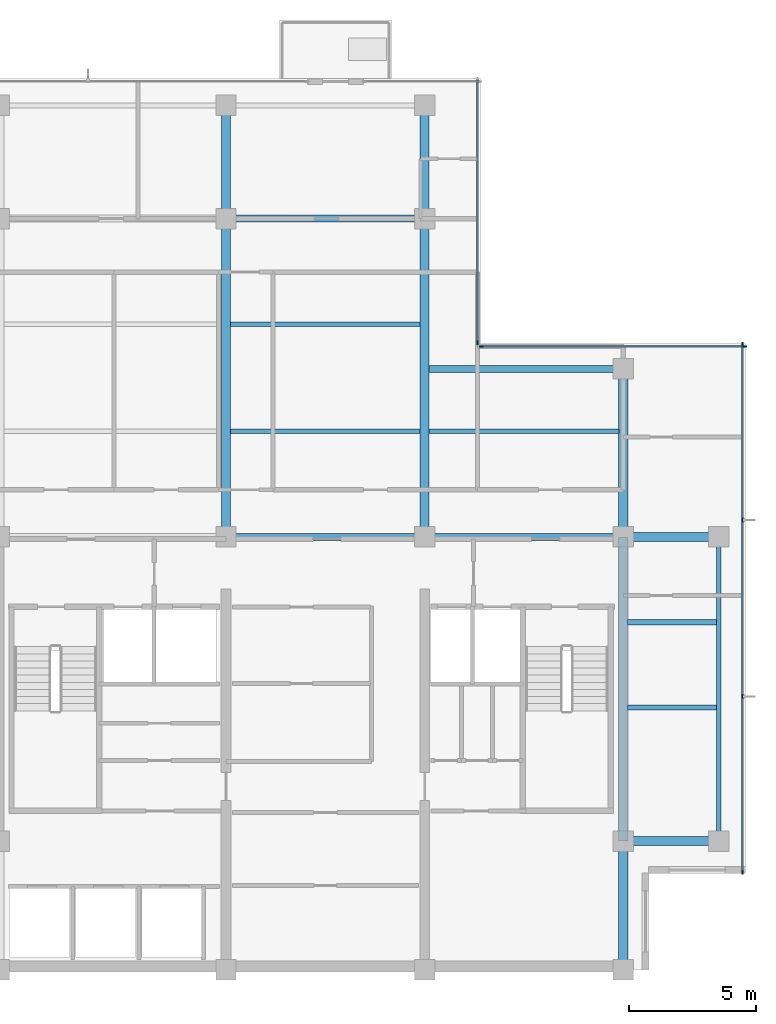
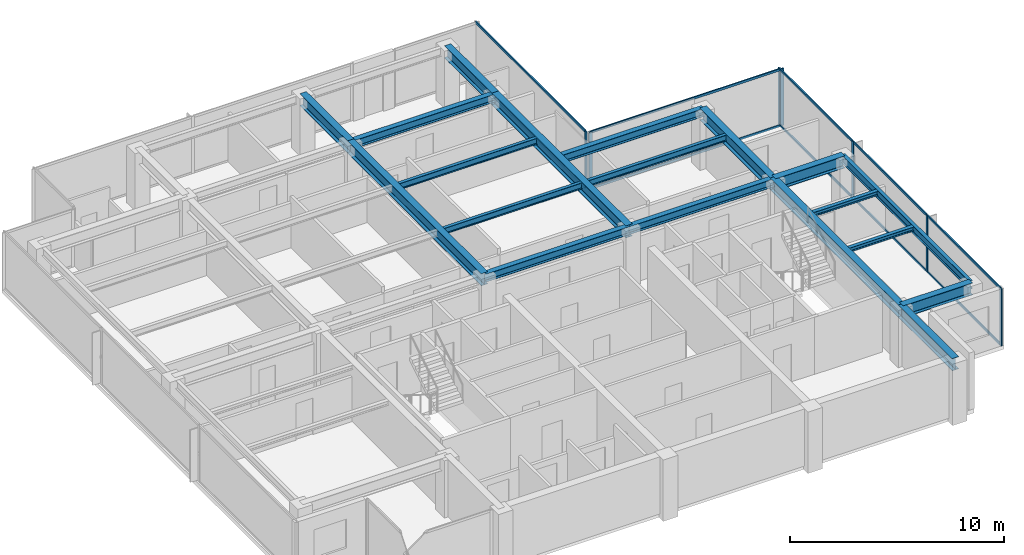
# One storey, part 3 of 11: 19 beams, 17 members, 3 elements without a shape of their own.
"""IFC4 building model written with IfcOpenShell, lengths in metres."""

from ifc_helpers import new_model, si_unit, direction, frame, origin, origin_2d, place, context, subcontext, project, spatial, rectangle, i_section, extrude, material, layer, layer_set, material_profile, profile_set, type_object, element, aggregate, save


model = new_model("IFC4")

# Units and contexts
model_context = context("Model", 3, precision=1e-05, world=origin(), true_north=direction((0.0, 1.0)))
body_context = subcontext(model_context, "Body", "Model", "MODEL_VIEW")
ifc_project = project(units=[si_unit("LENGTHUNIT", "METRE"), si_unit("AREAUNIT", "SQUARE_METRE"), si_unit("VOLUMEUNIT", "CUBIC_METRE"), si_unit("PLANEANGLEUNIT", "RADIAN"), si_unit("MASSUNIT", "GRAM", prefix="KILO")], contexts=[model_context])

# Site, building, storey
site_placement = place(None, origin())
site = spatial("IfcSite", under=ifc_project, at=site_placement, CompositionType="ELEMENT")
building_placement = place(site_placement, origin())
building = spatial("IfcBuilding", under=site, at=building_placement, Name="Qalmaran Belvedere Hotel", CompositionType="ELEMENT")
storey_placement = place(building_placement, frame((0.0, 0.0, 277.39990234375)))
storey = spatial("IfcBuildingStorey", under=building, at=storey_placement, Name="L72", CompositionType="ELEMENT", Elevation=277.39990234375)

# Beams
ifc_material_1 = material(Name="Steel S355JR", Category="steel")
ifc_material_profile_1 = material_profile(ifc_material_1, i_section(OverallWidth=0.201904296875, OverallDepth=0.2470703125, WebThickness=0.00732421875, FlangeThickness=0.010986328125, FilletRadius=0.011962890625, at=origin_2d()), Name="W250X49")
ifc_profile_set_1 = profile_set([ifc_material_profile_1], Name="Steel S355JR")
beam_type_1 = type_object("IfcBeamType", Name="BM-JST-W250X49", PredefinedType="JOIST", material=ifc_profile_set_1)
for number, where, z_axis, x_axis, name in (
    (1, (44.9755859375, 13.800048828125, 3.13671875), (1.0, 0.0, 0.0), (0.0, 1.0, 0.0), "L72 East Wing Joist 032"),
    (2, (44.9755859375, 17.14990234375, 3.13671875), (1.0, 0.0, 0.0), (0.0, 1.0, 0.0), "L72 East Wing Joist 034"),
):
    element("IfcBeam", number, at=place(storey_placement, frame(where, z_axis=z_axis, x_axis=x_axis)), inside=storey, type_object=beam_type_1, Name=name, PredefinedType="JOIST", context=body_context, shape_type="SweptSolid", body=[
        extrude(i_section(OverallWidth=0.201904296875, OverallDepth=0.2470703125, WebThickness=0.00732421875, FlangeThickness=0.010986328125, FilletRadius=0.011962890625, at=origin_2d()), origin(), (0.0, 0.0, 1.0), 3.48046875),
    ])
ifc_material_profile_2 = material_profile(ifc_material_1, i_section(OverallWidth=0.172119140625, OverallDepth=0.35791015625, WebThickness=0.0078125, FlangeThickness=0.01318359375, FilletRadius=0.014892578125, at=origin_2d()), Name="W360X57")
ifc_profile_set_2 = profile_set([ifc_material_profile_2], Name="Steel S355JR")
beam_type_2 = type_object("IfcBeamType", Name="BM-SB4-W360X57", PredefinedType="BEAM", material=ifc_profile_set_2)
for number, where, z_axis, x_axis, name in (
    (3, (29.37548828125, 24.64990234375, 3.0810546875), (1.0, 0.0, 0.0), (0.0, 1.0, 0.0), "L72 Secondary Floor Beam 026"),
    (4, (37.175537109375, 24.64990234375, 3.0810546875), (1.0, 0.0, 0.0), (0.0, 1.0, 0.0), "L72 Secondary Floor Beam 027"),
    (5, (29.37548828125, 28.85009765625, 3.0810546875), (1.0, 0.0, 0.0), (0.0, 1.0, 0.0), "L72 Secondary Floor Beam 030"),
):
    element("IfcBeam", number, at=place(storey_placement, frame(where, z_axis=z_axis, x_axis=x_axis)), inside=storey, type_object=beam_type_2, Name=name, PredefinedType="BEAM", context=body_context, shape_type="SweptSolid", body=[
        extrude(i_section(OverallWidth=0.172119140625, OverallDepth=0.35791015625, WebThickness=0.0078125, FlangeThickness=0.01318359375, FilletRadius=0.014892578125, at=origin_2d()), origin(), (0.0, 0.0, 1.0), 7.448974609375),
    ])
ifc_material_profile_3 = material_profile(ifc_material_1, i_section(OverallWidth=0.19189453125, OverallDepth=0.462890625, WebThickness=0.010498046875, FlangeThickness=0.017578125, FilletRadius=0.01611328125, at=origin_2d()), Name="W460X89")
ifc_profile_set_3 = profile_set([ifc_material_profile_3], Name="Steel S355JR")
beam_type_3 = type_object("IfcBeamType", Name="BM-SP2-W460X89", PredefinedType="SPANDREL", material=ifc_profile_set_3)
beam_1_placement = place(storey_placement, frame((48.550048828125, 8.550048828125, 3.028564453125), z_axis=(0.0, 1.0, 0.0), x_axis=(-1.0, 0.0, 0.0)))
element("IfcBeam", 6, at=beam_1_placement, inside=storey, type_object=beam_type_3, Name="L72 Perimeter Spandrel 03", PredefinedType="SPANDREL", context=body_context, shape_type="SweptSolid", body=[
    extrude(i_section(OverallWidth=0.19189453125, OverallDepth=0.462890625, WebThickness=0.010498046875, FlangeThickness=0.017578125, FilletRadius=0.01611328125, at=origin_2d()), origin(), (0.0, 0.0, 1.0), 11.949951171875),
])
ifc_material_profile_4 = material_profile(ifc_material_1, i_section(OverallWidth=0.35498046875, OverallDepth=0.695068359375, WebThickness=0.015380859375, FlangeThickness=0.02490234375, FilletRadius=0.02197265625, at=origin_2d()), Name="W690X217")
ifc_profile_set_4 = profile_set([ifc_material_profile_4], Name="Steel S355JR")
beam_type_4 = type_object("IfcBeamType", Name="BM-Z1-W690X217", PredefinedType="USERDEFINED", material=ifc_profile_set_4)
beam_2_placement = place(storey_placement, frame((29.199951171875, 20.5, 2.91259765625), z_axis=(0.0, 1.0, 0.0), x_axis=(-1.0, 0.0, 0.0)))
element("IfcBeam", 7, at=beam_2_placement, inside=storey, type_object=beam_type_4, Name="L72 Mid-Plate N-S Girder 13", ObjectType="GIRDER", PredefinedType="USERDEFINED", context=body_context, shape_type="SweptSolid", body=[
    extrude(i_section(OverallWidth=0.35498046875, OverallDepth=0.695068359375, WebThickness=0.015380859375, FlangeThickness=0.02490234375, FilletRadius=0.02197265625, at=origin_2d()), origin(), (0.0, 0.0, 1.0), 12.5),
])
beam_3_placement = place(storey_placement, frame((29.199951171875, 33.0, 2.91259765625), z_axis=(0.0, 1.0, 0.0), x_axis=(-1.0, 0.0, 0.0)))
element("IfcBeam", 8, at=beam_3_placement, inside=storey, type_object=beam_type_4, Name="L72 North Bay Girder 14", ObjectType="GIRDER", PredefinedType="USERDEFINED", context=body_context, shape_type="SweptSolid", body=[
    extrude(i_section(OverallWidth=0.35498046875, OverallDepth=0.695068359375, WebThickness=0.015380859375, FlangeThickness=0.02490234375, FilletRadius=0.02197265625, at=origin_2d()), origin(), (0.0, 0.0, 1.0), 4.449951171875),
])
beam_4_placement = place(storey_placement, frame((37.0, 20.5, 2.91259765625), z_axis=(0.0, 1.0, 0.0), x_axis=(-1.0, 0.0, 0.0)))
element("IfcBeam", 9, at=beam_4_placement, inside=storey, type_object=beam_type_4, Name="L72 Mid-Plate N-S Girder 15", ObjectType="GIRDER", PredefinedType="USERDEFINED", context=body_context, shape_type="SweptSolid", body=[
    extrude(i_section(OverallWidth=0.35498046875, OverallDepth=0.695068359375, WebThickness=0.015380859375, FlangeThickness=0.02490234375, FilletRadius=0.02197265625, at=origin_2d()), origin(), (0.0, 0.0, 1.0), 12.5),
])
beam_5_placement = place(storey_placement, frame((37.0, 33.0, 2.91259765625), z_axis=(0.0, 1.0, 0.0), x_axis=(-1.0, 0.0, 0.0)))
element("IfcBeam", 10, at=beam_5_placement, inside=storey, type_object=beam_type_4, Name="L72 North Bay Girder 16", ObjectType="GIRDER", PredefinedType="USERDEFINED", context=body_context, shape_type="SweptSolid", body=[
    extrude(i_section(OverallWidth=0.35498046875, OverallDepth=0.695068359375, WebThickness=0.015380859375, FlangeThickness=0.02490234375, FilletRadius=0.02197265625, at=origin_2d()), origin(), (0.0, 0.0, 1.0), 4.449951171875),
])
beam_6_placement = place(storey_placement, frame((44.800048828125, 20.5, 2.91259765625), z_axis=(0.0, 1.0, 0.0), x_axis=(-1.0, 0.0, 0.0)))
element("IfcBeam", 11, at=beam_6_placement, inside=storey, type_object=beam_type_4, Name="L72 Mid-Plate N-S Girder 17", ObjectType="GIRDER", PredefinedType="USERDEFINED", context=body_context, shape_type="SweptSolid", body=[
    extrude(i_section(OverallWidth=0.35498046875, OverallDepth=0.695068359375, WebThickness=0.015380859375, FlangeThickness=0.02490234375, FilletRadius=0.02197265625, at=origin_2d()), origin(), (0.0, 0.0, 1.0), 6.60009765625),
])
beam_7_placement = place(storey_placement, frame((44.800048828125, 3.5, 2.91259765625), z_axis=(0.0, 1.0, 0.0), x_axis=(-1.0, 0.0, 0.0)))
element("IfcBeam", 12, at=beam_7_placement, inside=storey, type_object=beam_type_4, Name="L72 East Core Edge Girder A", ObjectType="GIRDER", PredefinedType="USERDEFINED", context=body_context, shape_type="SweptSolid", body=[
    extrude(i_section(OverallWidth=0.35498046875, OverallDepth=0.695068359375, WebThickness=0.015380859375, FlangeThickness=0.02490234375, FilletRadius=0.02197265625, at=origin_2d()), origin(), (0.0, 0.0, 1.0), 5.050048828125),
])
beam_8_placement = place(storey_placement, frame((44.800048828125, 8.550048828125, 2.91259765625), z_axis=(0.0, 1.0, 0.0), x_axis=(-1.0, 0.0, 0.0)))
element("IfcBeam", 13, at=beam_8_placement, inside=storey, type_object=beam_type_4, Name="L72 East Core Edge Girder B", ObjectType="GIRDER", PredefinedType="USERDEFINED", context=body_context, shape_type="SweptSolid", body=[
    extrude(i_section(OverallWidth=0.35498046875, OverallDepth=0.695068359375, WebThickness=0.015380859375, FlangeThickness=0.02490234375, FilletRadius=0.02197265625, at=origin_2d()), origin(), (0.0, 0.0, 1.0), 11.949951171875),
])
for number, where, z_axis, x_axis, name in (
    (14, (44.800048828125, 8.550048828125, 2.91259765625), (1.0, 0.0, 0.0), (0.0, 1.0, 0.0), "L72 East Wing Girder 22"),
    (15, (44.800048828125, 20.5, 2.91259765625), (1.0, 0.0, 0.0), (0.0, 1.0, 0.0), "L72 East Wing Girder 23"),
):
    element("IfcBeam", number, at=place(storey_placement, frame(where, z_axis=z_axis, x_axis=x_axis)), inside=storey, type_object=beam_type_4, Name=name, ObjectType="GIRDER", PredefinedType="USERDEFINED", context=body_context, shape_type="SweptSolid", body=[
        extrude(i_section(OverallWidth=0.35498046875, OverallDepth=0.695068359375, WebThickness=0.015380859375, FlangeThickness=0.02490234375, FilletRadius=0.02197265625, at=origin_2d()), origin(), (0.0, 0.0, 1.0), 3.75),
    ])
ifc_material_profile_5 = material_profile(ifc_material_1, i_section(OverallWidth=0.280029296875, OverallDepth=0.462890625, WebThickness=0.0107421875, FlangeThickness=0.017333984375, FilletRadius=0.01611328125, at=origin_2d()), Name="W460X113")
ifc_profile_set_5 = profile_set([ifc_material_profile_5], Name="Steel S355JR")
beam_type_5 = type_object("IfcBeamType", Name="BM-Z5-W460X113", PredefinedType="USERDEFINED", material=ifc_profile_set_5)
for number, where, z_axis, x_axis, name in (
    (16, (29.199951171875, 20.5, 3.028564453125), (1.0, 0.0, 0.0), (0.0, 1.0, 0.0), "L72 Interior E-W Girder 07"),
    (17, (37.0, 20.5, 3.028564453125), (1.0, 0.0, 0.0), (0.0, 1.0, 0.0), "L72 Interior E-W Girder 08"),
    (18, (29.199951171875, 33.0, 3.028564453125), (1.0, 0.0, 0.0), (0.0, 1.0, 0.0), "L72 Interior E-W Girder 10"),
):
    element("IfcBeam", number, at=place(storey_placement, frame(where, z_axis=z_axis, x_axis=x_axis)), inside=storey, type_object=beam_type_5, Name=name, ObjectType="GIRDER", PredefinedType="USERDEFINED", context=body_context, shape_type="SweptSolid", body=[
        extrude(i_section(OverallWidth=0.280029296875, OverallDepth=0.462890625, WebThickness=0.0107421875, FlangeThickness=0.017333984375, FilletRadius=0.01611328125, at=origin_2d()), origin(), (0.0, 0.0, 1.0), 7.800048828125),
    ])
beam_9_placement = place(storey_placement, frame((37.175537109375, 27.10009765625, 3.028564453125), z_axis=(1.0, 0.0, 0.0), x_axis=(0.0, 1.0, 0.0)))
element("IfcBeam", 19, at=beam_9_placement, inside=storey, type_object=beam_type_5, Name="L72 North-East Notch Rim Girder", ObjectType="GIRDER", PredefinedType="USERDEFINED", context=body_context, shape_type="SweptSolid", body=[
    extrude(i_section(OverallWidth=0.280029296875, OverallDepth=0.462890625, WebThickness=0.0107421875, FlangeThickness=0.017333984375, FilletRadius=0.01611328125, at=origin_2d()), origin(), (0.0, 0.0, 1.0), 7.62451171875),
])

# Curtain wall, members
ifc_material_2 = material(Name="Anodised Bronze Aluminium", Category="aluminium")
ifc_layer = layer(ifc_material_2, 0.18505859375, Name="Anodised Bronze Aluminium")
ifc_layer_set = layer_set([ifc_layer], Name="Anodised Bronze Aluminium")
curtain_wall_type = type_object("IfcCurtainWallType", Name="CW6-TOWER-SKY", PredefinedType="NOTDEFINED", material=ifc_layer_set)
curtain_wall_1_placement = place(storey_placement, origin())
curtain_wall_1 = element("IfcCurtainWall", 20, at=curtain_wall_1_placement, inside=storey, type_object=curtain_wall_type, Name="L72 Curtain Wall CW6", PredefinedType="NOTDEFINED")
ifc_material_profile_6 = material_profile(ifc_material_2, rectangle(XDim=0.06494140625, YDim=0.1650390625, at=origin_2d()), Name="CWM65X165")
ifc_profile_set_6 = profile_set([ifc_material_profile_6], Name="Anodised Bronze Aluminium")
member_type_1 = type_object("IfcMemberType", Name="CWM-65X165", PredefinedType="MULLION", material=ifc_profile_set_6)
member_1_placement = place(storey_placement, frame((49.47998046875, 7.33251953125, 0.0), z_axis=(0.0, 0.0, 1.0), x_axis=(-1.0, 0.0, 0.0)))
member_1 = element("IfcMember", 21, at=member_1_placement, type_object=member_type_1, Name="CW6 mullion 1", PredefinedType="MULLION", context=body_context, shape_type="SweptSolid", body=[
    extrude(rectangle(XDim=0.06494140625, YDim=0.1650390625, at=origin_2d()), origin(), (0.0, 0.0, 1.0), 3.260009765625),
])
member_2_placement = place(storey_placement, frame((49.47998046875, 14.2333984375, 0.0), z_axis=(0.0, 0.0, 1.0), x_axis=(-1.0, 0.0, 0.0)))
member_2 = element("IfcMember", 22, at=member_2_placement, type_object=member_type_1, Name="CW6 mullion 2", PredefinedType="MULLION", context=body_context, shape_type="SweptSolid", body=[
    extrude(rectangle(XDim=0.06494140625, YDim=0.1650390625, at=origin_2d()), origin(), (0.0, 0.0, 1.0), 3.260009765625),
])
member_3_placement = place(storey_placement, frame((49.47998046875, 21.166748046875, 0.0), z_axis=(0.0, 0.0, 1.0), x_axis=(-1.0, 0.0, 0.0)))
member_3 = element("IfcMember", 23, at=member_3_placement, type_object=member_type_1, Name="CW6 mullion 3", PredefinedType="MULLION", context=body_context, shape_type="SweptSolid", body=[
    extrude(rectangle(XDim=0.06494140625, YDim=0.1650390625, at=origin_2d()), origin(), (0.0, 0.0, 1.0), 3.260009765625),
])
member_4_placement = place(storey_placement, frame((49.47998046875, 28.0673828125, 0.0), z_axis=(0.0, 0.0, 1.0), x_axis=(-1.0, 0.0, 0.0)))
member_4 = element("IfcMember", 24, at=member_4_placement, type_object=member_type_1, Name="CW6 mullion 4", PredefinedType="MULLION", context=body_context, shape_type="SweptSolid", body=[
    extrude(rectangle(XDim=0.06494140625, YDim=0.1650390625, at=origin_2d()), origin(), (0.0, 0.0, 1.0), 3.260009765625),
])

curtain_wall_2_placement = place(storey_placement, origin())
curtain_wall_2 = element("IfcCurtainWall", 25, at=curtain_wall_2_placement, inside=storey, type_object=curtain_wall_type, Name="L72 Curtain Wall CW6", PredefinedType="NOTDEFINED")
member_5_placement = place(storey_placement, frame((49.5673828125, 27.97998046875, 0.0), z_axis=(0.0, 0.0, 1.0), x_axis=(0.0, -1.0, 0.0)))
member_5 = element("IfcMember", 26, at=member_5_placement, type_object=member_type_1, Name="CW6 mullion 1", PredefinedType="MULLION", context=body_context, shape_type="SweptSolid", body=[
    extrude(rectangle(XDim=0.06494140625, YDim=0.1650390625, at=origin_2d()), origin(), (0.0, 0.0, 1.0), 3.260009765625),
])
member_6_placement = place(storey_placement, frame((39.232421875, 27.97998046875, 0.0), z_axis=(0.0, 0.0, 1.0), x_axis=(0.0, -1.0, 0.0)))
member_6 = element("IfcMember", 27, at=member_6_placement, type_object=member_type_1, Name="CW6 mullion 2", PredefinedType="MULLION", context=body_context, shape_type="SweptSolid", body=[
    extrude(rectangle(XDim=0.06494140625, YDim=0.1650390625, at=origin_2d()), origin(), (0.0, 0.0, 1.0), 3.260009765625),
])

# Curtain wall, member
curtain_wall_3_placement = place(storey_placement, origin())
curtain_wall_3 = element("IfcCurtainWall", 28, at=curtain_wall_3_placement, inside=storey, type_object=curtain_wall_type, Name="L72 Curtain Wall CW6", PredefinedType="NOTDEFINED")
member_7_placement = place(storey_placement, frame((39.080078125, 28.132568359375, 0.0), z_axis=(0.0, 0.0, 1.0), x_axis=(-1.0, 0.0, 0.0)))
member_7 = element("IfcMember", 29, at=member_7_placement, type_object=member_type_1, Name="CW6 mullion 1", PredefinedType="MULLION", context=body_context, shape_type="SweptSolid", body=[
    extrude(rectangle(XDim=0.06494140625, YDim=0.1650390625, at=origin_2d()), origin(), (0.0, 0.0, 1.0), 3.260009765625),
])

# Member
ifc_material_profile_7 = material_profile(ifc_material_2, rectangle(XDim=0.06494140625, YDim=0.1298828125, at=origin_2d()), Name="CWT65X130")
ifc_profile_set_7 = profile_set([ifc_material_profile_7], Name="Anodised Bronze Aluminium")
member_type_2 = type_object("IfcMemberType", Name="CWT-65X130", PredefinedType="USERDEFINED", material=ifc_profile_set_7)
member_8_placement = place(storey_placement, frame((49.47998046875, 7.364990234375, 0.03271484375), z_axis=(0.0, 1.0, 0.0), x_axis=(-1.0, 0.0, 0.0)))
member_8 = element("IfcMember", 30, at=member_8_placement, type_object=member_type_2, Name="CW6 transom 1.1", ObjectType="TRANSOM", PredefinedType="USERDEFINED", context=body_context, shape_type="SweptSolid", body=[
    extrude(rectangle(XDim=0.06494140625, YDim=0.1298828125, at=origin_2d()), origin(), (0.0, 0.0, 1.0), 6.8359375),
])

member_9_placement = place(storey_placement, frame((49.47998046875, 7.364990234375, 3.2275390625), z_axis=(0.0, 1.0, 0.0), x_axis=(-1.0, 0.0, 0.0)))
member_9 = element("IfcMember", 31, at=member_9_placement, type_object=member_type_2, Name="CW6 transom 1.2", ObjectType="TRANSOM", PredefinedType="USERDEFINED", context=body_context, shape_type="SweptSolid", body=[
    extrude(rectangle(XDim=0.06494140625, YDim=0.1298828125, at=origin_2d()), origin(), (0.0, 0.0, 1.0), 6.8359375),
])

member_10_placement = place(storey_placement, frame((49.47998046875, 14.265869140625, 0.03271484375), z_axis=(0.0, 1.0, 0.0), x_axis=(-1.0, 0.0, 0.0)))
member_10 = element("IfcMember", 32, at=member_10_placement, type_object=member_type_2, Name="CW6 transom 2.1", ObjectType="TRANSOM", PredefinedType="USERDEFINED", context=body_context, shape_type="SweptSolid", body=[
    extrude(rectangle(XDim=0.06494140625, YDim=0.1298828125, at=origin_2d()), origin(), (0.0, 0.0, 1.0), 6.868408203125),
])

member_11_placement = place(storey_placement, frame((49.47998046875, 14.265869140625, 3.2275390625), z_axis=(0.0, 1.0, 0.0), x_axis=(-1.0, 0.0, 0.0)))
member_11 = element("IfcMember", 33, at=member_11_placement, type_object=member_type_2, Name="CW6 transom 2.2", ObjectType="TRANSOM", PredefinedType="USERDEFINED", context=body_context, shape_type="SweptSolid", body=[
    extrude(rectangle(XDim=0.06494140625, YDim=0.1298828125, at=origin_2d()), origin(), (0.0, 0.0, 1.0), 6.868408203125),
])

member_12_placement = place(storey_placement, frame((49.47998046875, 21.19921875, 0.03271484375), z_axis=(0.0, 1.0, 0.0), x_axis=(-1.0, 0.0, 0.0)))
member_12 = element("IfcMember", 34, at=member_12_placement, type_object=member_type_2, Name="CW6 transom 3.1", ObjectType="TRANSOM", PredefinedType="USERDEFINED", context=body_context, shape_type="SweptSolid", body=[
    extrude(rectangle(XDim=0.06494140625, YDim=0.1298828125, at=origin_2d()), origin(), (0.0, 0.0, 1.0), 6.835693359375),
])

member_13_placement = place(storey_placement, frame((49.47998046875, 21.19921875, 3.2275390625), z_axis=(0.0, 1.0, 0.0), x_axis=(-1.0, 0.0, 0.0)))
member_13 = element("IfcMember", 35, at=member_13_placement, type_object=member_type_2, Name="CW6 transom 3.2", ObjectType="TRANSOM", PredefinedType="USERDEFINED", context=body_context, shape_type="SweptSolid", body=[
    extrude(rectangle(XDim=0.06494140625, YDim=0.1298828125, at=origin_2d()), origin(), (0.0, 0.0, 1.0), 6.835693359375),
])

aggregate(curtain_wall_1, [member_1, member_2, member_3, member_4, member_8, member_9, member_10, member_11, member_12, member_13])

member_14_placement = place(storey_placement, frame((49.534912109375, 27.97998046875, 0.03271484375), z_axis=(-1.0, 0.0, 0.0), x_axis=(0.0, -1.0, 0.0)))
member_14 = element("IfcMember", 36, at=member_14_placement, type_object=member_type_2, Name="CW6 transom 1.1", ObjectType="TRANSOM", PredefinedType="USERDEFINED", context=body_context, shape_type="SweptSolid", body=[
    extrude(rectangle(XDim=0.06494140625, YDim=0.1298828125, at=origin_2d()), origin(), (0.0, 0.0, 1.0), 10.27001953125),
])

member_15_placement = place(storey_placement, frame((49.534912109375, 27.97998046875, 3.2275390625), z_axis=(-1.0, 0.0, 0.0), x_axis=(0.0, -1.0, 0.0)))
member_15 = element("IfcMember", 37, at=member_15_placement, type_object=member_type_2, Name="CW6 transom 1.2", ObjectType="TRANSOM", PredefinedType="USERDEFINED", context=body_context, shape_type="SweptSolid", body=[
    extrude(rectangle(XDim=0.06494140625, YDim=0.1298828125, at=origin_2d()), origin(), (0.0, 0.0, 1.0), 10.27001953125),
])

aggregate(curtain_wall_2, [member_5, member_6, member_14, member_15])

member_16_placement = place(storey_placement, frame((39.080078125, 28.1650390625, 0.03271484375), z_axis=(0.0, 1.0, 0.0), x_axis=(-1.0, 0.0, 0.0)))
member_16 = element("IfcMember", 38, at=member_16_placement, type_object=member_type_2, Name="CW6 transom 1.1", ObjectType="TRANSOM", PredefinedType="USERDEFINED", context=body_context, shape_type="SweptSolid", body=[
    extrude(rectangle(XDim=0.06494140625, YDim=0.1298828125, at=origin_2d()), origin(), (0.0, 0.0, 1.0), 10.27001953125),
])

member_17_placement = place(storey_placement, frame((39.080078125, 28.1650390625, 3.2275390625), z_axis=(0.0, 1.0, 0.0), x_axis=(-1.0, 0.0, 0.0)))
member_17 = element("IfcMember", 39, at=member_17_placement, type_object=member_type_2, Name="CW6 transom 1.2", ObjectType="TRANSOM", PredefinedType="USERDEFINED", context=body_context, shape_type="SweptSolid", body=[
    extrude(rectangle(XDim=0.06494140625, YDim=0.1298828125, at=origin_2d()), origin(), (0.0, 0.0, 1.0), 10.27001953125),
])

aggregate(curtain_wall_3, [member_7, member_16, member_17])

save(model, "model.ifc")
